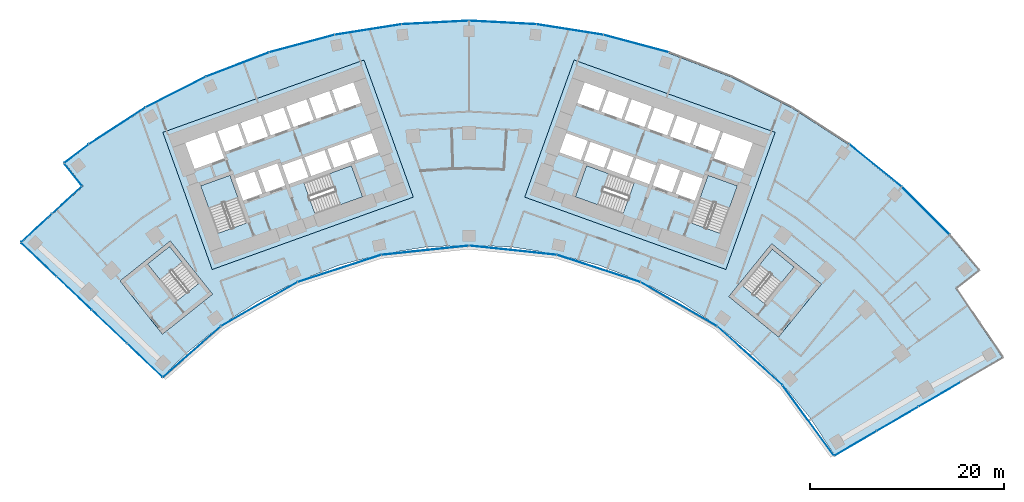
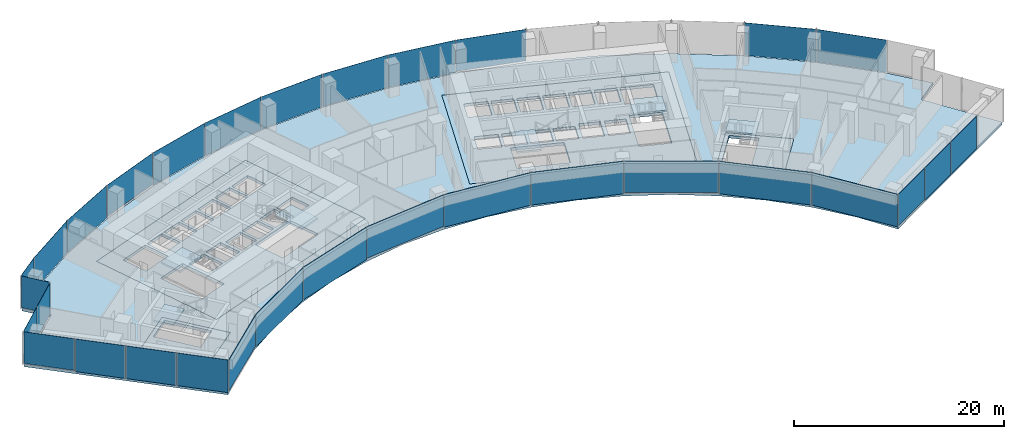
# One storey, part 10 of 19: 31 plates, 11 slabs, 12 elements without a shape of their own.
"""IFC4 building model written with IfcOpenShell, lengths in metres."""

from ifc_helpers import new_model, si_unit, direction, frame, origin, origin_2d, place, context, subcontext, project, spatial, polyline, rectangle, outline, extrude, material, layer, layer_set, type_object, element, aggregate, save


model = new_model("IFC4")

# Units and contexts
model_context = context("Model", 3, precision=1e-05, world=origin(), true_north=direction((0.0, 1.0)))
body_context = subcontext(model_context, "Body", "Model", "MODEL_VIEW")
ifc_project = project(units=[si_unit("LENGTHUNIT", "METRE"), si_unit("AREAUNIT", "SQUARE_METRE"), si_unit("VOLUMEUNIT", "CUBIC_METRE"), si_unit("PLANEANGLEUNIT", "RADIAN"), si_unit("MASSUNIT", "GRAM", prefix="KILO")], contexts=[model_context])

# Site, building, storey
site_placement = place(None, origin())
site = spatial("IfcSite", under=ifc_project, at=site_placement, CompositionType="ELEMENT")
building_placement = place(site_placement, origin())
building = spatial("IfcBuilding", under=site, at=building_placement, Name="Stone Belt Terrace Tower", CompositionType="ELEMENT")
storey_placement = place(building_placement, frame((0.0, 0.0, 128.800048828125)))
storey = spatial("IfcBuildingStorey", under=building, at=storey_placement, Name="L31", CompositionType="ELEMENT", Elevation=128.800048828125)

# Curtain wall, plates
ifc_material_1 = material(Name="Aluminium 6063-T6 anodised frame", Category="aluminium")
ifc_layer_1 = layer(ifc_material_1, 0.14990234375)
ifc_layer_set_1 = layer_set([ifc_layer_1], Name="CW-A unitised convex-face curtain wall")
curtain_wall_type_1 = type_object("IfcCurtainWallType", Name="CW-A unitised convex-face curtain wall", PredefinedType="NOTDEFINED", material=ifc_layer_set_1)
curtain_wall_1_placement = place(storey_placement, origin())
curtain_wall_1 = element("IfcCurtainWall", 1, at=curtain_wall_1_placement, inside=storey, type_object=curtain_wall_type_1, Name="CW-A convex face L31", PredefinedType="NOTDEFINED")
ifc_material_2 = material(Name="Clear double glazed unit")
ifc_layer_2 = layer(ifc_material_2, 0.031982421875)
ifc_layer_set_2 = layer_set([ifc_layer_2], Name="CW-A glass panel 32")
plate_type_1 = type_object("IfcPlateType", Name="CW-A glass panel 32", PredefinedType="CURTAIN_PANEL", material=ifc_layer_set_2)
plate_1_placement = place(storey_placement, frame((47.01123046875, 47.01123046875, 0.0), z_axis=(0.0, 0.0, 1.0), x_axis=(-0.707106781187, 0.707106781187, 0.0)))
plate_1 = element("IfcPlate", 2, at=plate_1_placement, type_object=plate_type_1, Name="CW-A panel 2.1", PredefinedType="CURTAIN_PANEL", context=body_context, shape_type="SweptSolid", body=[
    extrude(rectangle(XDim=6.90087890625, YDim=0.031982421875, at=origin_2d()), origin(), (0.0, 0.0, 1.0), 3.800048828125),
])
plate_2_placement = place(storey_placement, frame((41.839599609375, 51.667724609375, 0.0), z_axis=(0.0, 0.0, 1.0), x_axis=(-0.777145961457, 0.62932039105, 0.0)))
plate_2 = element("IfcPlate", 3, at=plate_2_placement, type_object=plate_type_1, Name="CW-A panel 3.1", PredefinedType="CURTAIN_PANEL", context=body_context, shape_type="SweptSolid", body=[
    extrude(rectangle(XDim=6.90087890625, YDim=0.031982421875, at=origin_2d()), origin(), (0.0, 0.0, 1.0), 3.800048828125),
])
plate_3_placement = place(storey_placement, frame((17.207275390625, 64.218505859375, 0.14013671875), z_axis=(0.0, 0.0, 1.0), x_axis=(-0.965925826289, 0.258819045103, 0.0)))
plate_3 = element("IfcPlate", 4, at=plate_3_placement, type_object=plate_type_1, Name="CW-A panel 7.1", PredefinedType="CURTAIN_PANEL", context=body_context, shape_type="SweptSolid", body=[
    extrude(rectangle(XDim=6.90087890625, YDim=0.031982421875, at=origin_2d()), origin(), (0.0, 0.0, 1.0), 3.659912109375),
])
plate_4_placement = place(storey_placement, frame((10.400390625, 65.665283203125, 0.0), z_axis=(0.0, 0.0, 1.0), x_axis=(-0.987688340595, 0.15643446504, 0.0)))
plate_4 = element("IfcPlate", 5, at=plate_4_placement, type_object=plate_type_1, Name="CW-A panel 8.1", PredefinedType="CURTAIN_PANEL", context=body_context, shape_type="SweptSolid", body=[
    extrude(rectangle(XDim=6.90087890625, YDim=0.031982421875, at=origin_2d()), origin(), (0.0, 0.0, 1.0), 3.800048828125),
])
plate_5_placement = place(storey_placement, frame((3.4794921875, 66.392822265625, 0.0), z_axis=(0.0, 0.0, 1.0), x_axis=(-0.998629534755, 0.052335956243, 0.0)))
plate_5 = element("IfcPlate", 6, at=plate_5_placement, type_object=plate_type_1, Name="CW-A panel 9.1", PredefinedType="CURTAIN_PANEL", context=body_context, shape_type="SweptSolid", body=[
    extrude(rectangle(XDim=6.90087890625, YDim=0.031982421875, at=origin_2d()), origin(), (0.0, 0.0, 1.0), 3.800048828125),
])
plate_6_placement = place(storey_placement, frame((-3.4794921875, 66.392822265625, 0.0), z_axis=(0.0, 0.0, 1.0), x_axis=(-0.998629534755, -0.052335956243, 0.0)))
plate_6 = element("IfcPlate", 7, at=plate_6_placement, type_object=plate_type_1, Name="CW-A panel 10.1", PredefinedType="CURTAIN_PANEL", context=body_context, shape_type="SweptSolid", body=[
    extrude(rectangle(XDim=6.90087890625, YDim=0.031982421875, at=origin_2d()), origin(), (0.0, 0.0, 1.0), 3.800048828125),
])
plate_7_placement = place(storey_placement, frame((-10.400390625, 65.665283203125, 0.0), z_axis=(0.0, 0.0, 1.0), x_axis=(-0.987688340595, -0.15643446504, 0.0)))
plate_7 = element("IfcPlate", 8, at=plate_7_placement, type_object=plate_type_1, Name="CW-A panel 11.1", PredefinedType="CURTAIN_PANEL", context=body_context, shape_type="SweptSolid", body=[
    extrude(rectangle(XDim=6.90087890625, YDim=0.031982421875, at=origin_2d()), origin(), (0.0, 0.0, 1.0), 3.800048828125),
])
plate_8_placement = place(storey_placement, frame((-17.207275390625, 64.218505859375, 0.0), z_axis=(0.0, 0.0, 1.0), x_axis=(-0.965925826289, -0.258819045103, 0.0)))
plate_8 = element("IfcPlate", 9, at=plate_8_placement, type_object=plate_type_1, Name="CW-A panel 12.1", PredefinedType="CURTAIN_PANEL", context=body_context, shape_type="SweptSolid", body=[
    extrude(rectangle(XDim=6.90087890625, YDim=0.031982421875, at=origin_2d()), origin(), (0.0, 0.0, 1.0), 3.800048828125),
])
plate_9_placement = place(storey_placement, frame((-23.82568359375, 62.068115234375, 0.14013671875), z_axis=(0.0, 0.0, 1.0), x_axis=(-0.933580426497, -0.358367949545, 0.0)))
plate_9 = element("IfcPlate", 10, at=plate_9_placement, type_object=plate_type_1, Name="CW-A panel 13.1", PredefinedType="CURTAIN_PANEL", context=body_context, shape_type="SweptSolid", body=[
    extrude(rectangle(XDim=6.90087890625, YDim=0.031982421875, at=origin_2d()), origin(), (0.0, 0.0, 1.0), 3.659912109375),
])
plate_10_placement = place(storey_placement, frame((-30.18310546875, 59.237548828125, 0.0), z_axis=(0.0, 0.0, 1.0), x_axis=(-0.891006524188, -0.45399049974, 0.0)))
plate_10 = element("IfcPlate", 11, at=plate_10_placement, type_object=plate_type_1, Name="CW-A panel 14.1", PredefinedType="CURTAIN_PANEL", context=body_context, shape_type="SweptSolid", body=[
    extrude(rectangle(XDim=6.90087890625, YDim=0.031982421875, at=origin_2d()), origin(), (0.0, 0.0, 1.0), 3.800048828125),
])
plate_11_placement = place(storey_placement, frame((-36.209716796875, 55.758056640625, 0.0), z_axis=(0.0, 0.0, 1.0), x_axis=(-0.838670567945, -0.544639035015, 0.0)))
plate_11 = element("IfcPlate", 12, at=plate_11_placement, type_object=plate_type_1, Name="CW-A panel 15.1", PredefinedType="CURTAIN_PANEL", context=body_context, shape_type="SweptSolid", body=[
    extrude(rectangle(XDim=6.900634765625, YDim=0.031982421875, at=origin_2d()), origin(), (0.0, 0.0, 1.0), 3.800048828125),
])
plate_12_placement = place(storey_placement, frame((-40.394775390625, 52.896240234375, 0.0), z_axis=(0.0, 0.0, 1.0), x_axis=(-0.794905425637, -0.606733355184, 0.0)))
plate_12 = element("IfcPlate", 13, at=plate_12_placement, type_object=plate_type_1, Name="CW-A panel 16.1", PredefinedType="CURTAIN_PANEL", context=body_context, shape_type="SweptSolid", body=[
    extrude(rectangle(XDim=3.1142578125, YDim=0.031982421875, at=origin_2d()), origin(), (0.0, 0.0, 1.0), 3.800048828125),
])
aggregate(curtain_wall_1, [plate_1, plate_2, plate_3, plate_4, plate_5, plate_6, plate_7, plate_8, plate_9, plate_10, plate_11, plate_12])

ifc_layer_3 = layer(ifc_material_1, 0.14990234375)
ifc_layer_set_3 = layer_set([ifc_layer_3], Name="CW-B unitised concave-face curtain wall")
curtain_wall_type_2 = type_object("IfcCurtainWallType", Name="CW-B unitised concave-face curtain wall", PredefinedType="NOTDEFINED", material=ifc_layer_set_3)
curtain_wall_2_placement = place(storey_placement, origin())
curtain_wall_2 = element("IfcCurtainWall", 14, at=curtain_wall_2_placement, inside=storey, type_object=curtain_wall_type_2, Name="CW-B concave face L31", PredefinedType="NOTDEFINED")
ifc_layer_4 = layer(ifc_material_2, 0.030029296875)
ifc_layer_set_4 = layer_set([ifc_layer_4], Name="CW-B glass panel 30")
plate_type_2 = type_object("IfcPlateType", Name="CW-B glass panel 30", PredefinedType="CURTAIN_PANEL", material=ifc_layer_set_4)
plate_13_placement = place(storey_placement, frame((-28.516357421875, 32.509033203125, 0.1201171875), z_axis=(0.0, 0.0, 1.0), x_axis=(0.752060320301, 0.659094283566, 0.0)))
plate_13 = element("IfcPlate", 15, at=plate_13_placement, type_object=plate_type_2, Name="CW-B panel 1.1", PredefinedType="CURTAIN_PANEL", context=body_context, shape_type="SweptSolid", body=[
    extrude(rectangle(XDim=7.8916015625, YDim=0.030029296875, at=origin_2d()), origin(), (0.0, 0.0, 1.0), 3.679931640625),
])
plate_14_placement = place(storey_placement, frame((-21.59375, 37.400634765625, 0.0), z_axis=(0.0, 0.0, 1.0), x_axis=(0.866025403784, 0.5, 0.0)))
plate_14 = element("IfcPlate", 16, at=plate_14_placement, type_object=plate_type_2, Name="CW-B panel 2.1", PredefinedType="CURTAIN_PANEL", context=body_context, shape_type="SweptSolid", body=[
    extrude(rectangle(XDim=9.013916015625, YDim=0.030029296875, at=origin_2d()), origin(), (0.0, 0.0, 1.0), 3.800048828125),
])
plate_15_placement = place(storey_placement, frame((-13.345458984375, 41.072998046875, 0.0), z_axis=(0.0, 0.0, 1.0), x_axis=(0.951056516295, 0.309016994375, 0.0)))
plate_15 = element("IfcPlate", 17, at=plate_15_placement, type_object=plate_type_2, Name="CW-B panel 3.1", PredefinedType="CURTAIN_PANEL", context=body_context, shape_type="SweptSolid", body=[
    extrude(rectangle(XDim=9.0126953125, YDim=0.030029296875, at=origin_2d()), origin(), (0.0, 0.0, 1.0), 3.800048828125),
])
plate_16_placement = place(storey_placement, frame((-4.51416015625, 42.9501953125, 0.1201171875), z_axis=(0.0, 0.0, 1.0), x_axis=(0.994521895368, 0.104528463268, 0.0)))
plate_16 = element("IfcPlate", 18, at=plate_16_placement, type_object=plate_type_2, Name="CW-B panel 4.1", PredefinedType="CURTAIN_PANEL", context=body_context, shape_type="SweptSolid", body=[
    extrude(rectangle(XDim=9.0126953125, YDim=0.030029296875, at=origin_2d()), origin(), (0.0, 0.0, 1.0), 3.679931640625),
])
plate_17_placement = place(storey_placement, frame((4.51416015625, 42.9501953125, 0.0), z_axis=(0.0, 0.0, 1.0), x_axis=(0.994521895368, -0.104528463268, 0.0)))
plate_17 = element("IfcPlate", 19, at=plate_17_placement, type_object=plate_type_2, Name="CW-B panel 5.1", PredefinedType="CURTAIN_PANEL", context=body_context, shape_type="SweptSolid", body=[
    extrude(rectangle(XDim=9.0126953125, YDim=0.030029296875, at=origin_2d()), origin(), (0.0, 0.0, 1.0), 3.800048828125),
])
plate_18_placement = place(storey_placement, frame((13.345458984375, 41.072998046875, 0.0), z_axis=(0.0, 0.0, 1.0), x_axis=(0.951056516295, -0.309016994375, 0.0)))
plate_18 = element("IfcPlate", 20, at=plate_18_placement, type_object=plate_type_2, Name="CW-B panel 6.1", PredefinedType="CURTAIN_PANEL", context=body_context, shape_type="SweptSolid", body=[
    extrude(rectangle(XDim=9.0126953125, YDim=0.030029296875, at=origin_2d()), origin(), (0.0, 0.0, 1.0), 3.800048828125),
])
plate_19_placement = place(storey_placement, frame((21.59326171875, 37.40087890625, 0.1201171875), z_axis=(0.0, 0.0, 1.0), x_axis=(0.866025403784, -0.5, 0.0)))
plate_19 = element("IfcPlate", 21, at=plate_19_placement, type_object=plate_type_2, Name="CW-B panel 7.1", PredefinedType="CURTAIN_PANEL", context=body_context, shape_type="SweptSolid", body=[
    extrude(rectangle(XDim=9.0126953125, YDim=0.030029296875, at=origin_2d()), origin(), (0.0, 0.0, 1.0), 3.679931640625),
])
plate_20_placement = place(storey_placement, frame((28.897705078125, 32.093994140625, 0.0), z_axis=(0.0, 0.0, 1.0), x_axis=(0.743144825477, -0.669130606359, 0.0)))
plate_20 = element("IfcPlate", 22, at=plate_20_placement, type_object=plate_type_2, Name="CW-B panel 8.1", PredefinedType="CURTAIN_PANEL", context=body_context, shape_type="SweptSolid", body=[
    extrude(rectangle(XDim=9.012939453125, YDim=0.030029296875, at=origin_2d()), origin(), (0.0, 0.0, 1.0), 3.800048828125),
])
plate_21_placement = place(storey_placement, frame((34.91162109375, 25.435546875, 0.0), z_axis=(0.0, 0.0, 1.0), x_axis=(0.589224850374, -0.80796910566, 0.0)))
plate_21 = element("IfcPlate", 23, at=plate_21_placement, type_object=plate_type_2, Name="CW-B panel 9.1", PredefinedType="CURTAIN_PANEL", context=body_context, shape_type="SweptSolid", body=[
    extrude(rectangle(XDim=8.898193359375, YDim=0.030029296875, at=origin_2d()), origin(), (0.0, 0.0, 1.0), 3.800048828125),
])
aggregate(curtain_wall_2, [plate_13, plate_14, plate_15, plate_16, plate_17, plate_18, plate_19, plate_20, plate_21])

ifc_layer_5 = layer(ifc_material_1, 0.14990234375)
ifc_layer_set_5 = layer_set([ifc_layer_5], Name="CW-C stick curtain wall, horn ends and notches")
curtain_wall_type_3 = type_object("IfcCurtainWallType", Name="CW-C stick curtain wall, horn ends and notches", PredefinedType="NOTDEFINED", material=ifc_layer_set_5)
curtain_wall_3_placement = place(storey_placement, origin())
curtain_wall_3 = element("IfcCurtainWall", 24, at=curtain_wall_3_placement, inside=storey, type_object=curtain_wall_type_3, Name="CW-C end face L31", PredefinedType="NOTDEFINED")
ifc_layer_6 = layer(ifc_material_2, 0.028076171875)
ifc_layer_set_6 = layer_set([ifc_layer_6], Name="CW-C glass panel 28")
plate_type_3 = type_object("IfcPlateType", Name="CW-C glass panel 28", PredefinedType="CURTAIN_PANEL", material=ifc_layer_set_6)
plate_22_placement = place(storey_placement, frame((39.781982421875, 23.070556640625, 0.1201171875), z_axis=(0.0, 0.0, 1.0), x_axis=(0.864239322284, 0.503080901861, 0.0)))
plate_22 = element("IfcPlate", 25, at=plate_22_placement, type_object=plate_type_3, Name="CW-C panel 1.1", PredefinedType="CURTAIN_PANEL", context=body_context, shape_type="SweptSolid", body=[
    extrude(rectangle(XDim=4.965087890625, YDim=0.028076171875, at=origin_2d()), origin(), (0.0, 0.0, 1.0), 3.679931640625),
])
plate_23_placement = place(storey_placement, frame((44.114013671875, 25.59228515625, 0.0), z_axis=(0.0, 0.0, 1.0), x_axis=(0.864239322284, 0.503080901861, 0.0)))
plate_23 = element("IfcPlate", 26, at=plate_23_placement, type_object=plate_type_3, Name="CW-C panel 2.1", PredefinedType="CURTAIN_PANEL", context=body_context, shape_type="SweptSolid", body=[
    extrude(rectangle(XDim=4.93994140625, YDim=0.028076171875, at=origin_2d()), origin(), (0.0, 0.0, 1.0), 3.800048828125),
])
plate_24_placement = place(storey_placement, frame((48.43505859375, 28.107666015625, 0.0), z_axis=(0.0, 0.0, 1.0), x_axis=(0.864239322284, 0.503080901861, 0.0)))
plate_24 = element("IfcPlate", 27, at=plate_24_placement, type_object=plate_type_3, Name="CW-C panel 3.1", PredefinedType="CURTAIN_PANEL", context=body_context, shape_type="SweptSolid", body=[
    extrude(rectangle(XDim=4.93994140625, YDim=0.028076171875, at=origin_2d()), origin(), (0.0, 0.0, 1.0), 3.800048828125),
])
aggregate(curtain_wall_3, [plate_22, plate_23, plate_24])

# Curtain wall, plate
curtain_wall_4_placement = place(storey_placement, origin())
curtain_wall_4 = element("IfcCurtainWall", 28, at=curtain_wall_4_placement, inside=storey, type_object=curtain_wall_type_3, Name="CW-C notch face L31", PredefinedType="NOTDEFINED")
plate_25_placement = place(storey_placement, frame((-40.751220703125, 50.732666015625, 0.1201171875), z_axis=(0.0, 0.0, 1.0), x_axis=(0.625342799553, -0.780350166943, 0.0)))
plate_25 = element("IfcPlate", 29, at=plate_25_placement, type_object=plate_type_3, Name="CW-C panel 1.1", PredefinedType="CURTAIN_PANEL", context=body_context, shape_type="SweptSolid", body=[
    extrude(rectangle(XDim=2.85888671875, YDim=0.028076171875, at=origin_2d()), origin(), (0.0, 0.0, 1.0), 3.679931640625),
])
aggregate(curtain_wall_4, [plate_25])

# Curtain wall, plates
curtain_wall_5_placement = place(storey_placement, origin())
curtain_wall_5 = element("IfcCurtainWall", 30, at=curtain_wall_5_placement, inside=storey, type_object=curtain_wall_type_3, Name="CW-C notch face L31", PredefinedType="NOTDEFINED")
plate_26_placement = place(storey_placement, frame((-41.38232421875, 48.116455078125, 0.1201171875), z_axis=(0.0, 0.0, 1.0), x_axis=(-0.736280049148, -0.676676945985, 0.0)))
plate_26 = element("IfcPlate", 31, at=plate_26_placement, type_object=plate_type_3, Name="CW-C panel 1.1", PredefinedType="CURTAIN_PANEL", context=body_context, shape_type="SweptSolid", body=[
    extrude(rectangle(XDim=4.12060546875, YDim=0.028076171875, at=origin_2d()), origin(), (0.0, 0.0, 1.0), 3.679931640625),
])
plate_27_placement = place(storey_placement, frame((-44.514892578125, 45.237548828125, 0.0), z_axis=(0.0, 0.0, 1.0), x_axis=(-0.736280049148, -0.676676945985, 0.0)))
plate_27 = element("IfcPlate", 32, at=plate_27_placement, type_object=plate_type_3, Name="CW-C panel 2.1", PredefinedType="CURTAIN_PANEL", context=body_context, shape_type="SweptSolid", body=[
    extrude(rectangle(XDim=4.268798828125, YDim=0.028076171875, at=origin_2d()), origin(), (0.0, 0.0, 1.0), 3.800048828125),
])
aggregate(curtain_wall_5, [plate_26, plate_27])

curtain_wall_6_placement = place(storey_placement, origin())
curtain_wall_6 = element("IfcCurtainWall", 33, at=curtain_wall_6_placement, inside=storey, type_object=curtain_wall_type_3, Name="CW-C end face L31", PredefinedType="NOTDEFINED")
plate_28_placement = place(storey_placement, frame((-44.2841796875, 41.976806640625, 0.1201171875), z_axis=(0.0, 0.0, 1.0), x_axis=(0.72491369175, -0.688839705238, 0.0)))
plate_28 = element("IfcPlate", 34, at=plate_28_placement, type_object=plate_type_3, Name="CW-C panel 1.1", PredefinedType="CURTAIN_PANEL", context=body_context, shape_type="SweptSolid", body=[
    extrude(rectangle(XDim=4.974853515625, YDim=0.028076171875, at=origin_2d()), origin(), (0.0, 0.0, 1.0), 3.679931640625),
])
plate_29_placement = place(storey_placement, frame((-40.646728515625, 38.520751953125, 0.0), z_axis=(0.0, 0.0, 1.0), x_axis=(0.72491369175, -0.688839705238, 0.0)))
plate_29 = element("IfcPlate", 35, at=plate_29_placement, type_object=plate_type_3, Name="CW-C panel 2.1", PredefinedType="CURTAIN_PANEL", context=body_context, shape_type="SweptSolid", body=[
    extrude(rectangle(XDim=4.93994140625, YDim=0.028076171875, at=origin_2d()), origin(), (0.0, 0.0, 1.0), 3.800048828125),
])
plate_30_placement = place(storey_placement, frame((-37.022216796875, 35.076416015625, 0.0), z_axis=(0.0, 0.0, 1.0), x_axis=(0.72491369175, -0.688839705238, 0.0)))
plate_30 = element("IfcPlate", 36, at=plate_30_placement, type_object=plate_type_3, Name="CW-C panel 3.1", PredefinedType="CURTAIN_PANEL", context=body_context, shape_type="SweptSolid", body=[
    extrude(rectangle(XDim=4.93994140625, YDim=0.028076171875, at=origin_2d()), origin(), (0.0, 0.0, 1.0), 3.800048828125),
])
plate_31_placement = place(storey_placement, frame((-33.388427734375, 31.623291015625, 0.0), z_axis=(0.0, 0.0, 1.0), x_axis=(0.72491369175, -0.688839705238, 0.0)))
plate_31 = element("IfcPlate", 37, at=plate_31_placement, type_object=plate_type_3, Name="CW-C panel 4.1", PredefinedType="CURTAIN_PANEL", context=body_context, shape_type="SweptSolid", body=[
    extrude(rectangle(XDim=4.9658203125, YDim=0.028076171875, at=origin_2d()), origin(), (0.0, 0.0, 1.0), 3.800048828125),
])
aggregate(curtain_wall_6, [plate_28, plate_29, plate_30, plate_31])

# Slabs
ifc_material_3 = material(Name="Concrete B40", Category="concrete")
ifc_layer_7 = layer(ifc_material_3, 0.320068359375)
ifc_layer_set_7 = layer_set([ifc_layer_7], Name="Core floor slab 320")
slab_type_1 = type_object("IfcSlabType", Name="Core floor slab 320", PredefinedType="FLOOR", material=ifc_layer_set_7)
slab_1_placement = place(storey_placement, frame((0.0, 0.0, -0.320068359375)))
element("IfcSlab", 38, at=slab_1_placement, inside=storey, type_object=slab_type_1, Name="Core A floor L31", PredefinedType="FLOOR", context=body_context, shape_type="SweptSolid", body=[
    extrude(outline(polyline([(-26.43505859375, 40.968994140625), (-5.735107421875, 48.4189453125), (-10.81396484375, 62.531982421875), (-31.513916015625, 55.0830078125), (-26.43505859375, 40.968994140625)]), holes=[polyline([(-24.60791015625, 50.659912109375), (-22.847900390625, 45.76806640625), (-25.85888671875, 44.68408203125), (-27.618896484375, 49.575927734375), (-24.60791015625, 50.659912109375)]), polyline([(-21.27392578125, 48.778076171875), (-23.25, 48.06689453125), (-24.06298828125, 50.324951171875), (-22.0869140625, 51.035888671875), (-21.27392578125, 48.778076171875)]), polyline([(-18.922119140625, 49.6240234375), (-20.89794921875, 48.9130859375), (-21.7109375, 51.1708984375), (-19.735107421875, 51.883056640625), (-18.922119140625, 49.6240234375)]), polyline([(-19.239990234375, 51.68896484375), (-17.217041015625, 52.4169921875), (-16.52294921875, 50.488037109375), (-18.5458984375, 49.760009765625), (-19.239990234375, 51.68896484375)]), polyline([(-29.2109375, 53.9990234375), (-26.153076171875, 55.09912109375), (-25.18798828125, 52.41796875), (-28.24609375, 51.31689453125), (-29.2109375, 53.9990234375)]), polyline([(-23.801025390625, 55.946044921875), (-23.0390625, 53.8291015625), (-25.10888671875, 53.083984375), (-25.87109375, 55.200927734375), (-23.801025390625, 55.946044921875)]), polyline([(-21.447998046875, 56.7919921875), (-20.68603515625, 54.675048828125), (-22.756103515625, 53.929931640625), (-23.51806640625, 56.047119140625), (-21.447998046875, 56.7919921875)]), polyline([(-19.095947265625, 57.638916015625), (-18.333984375, 55.52197265625), (-20.404052734375, 54.777099609375), (-21.166015625, 56.89404296875), (-19.095947265625, 57.638916015625)]), polyline([(-15.846923828125, 46.69189453125), (-16.998046875, 49.89208984375), (-12.10595703125, 51.652099609375), (-10.955078125, 48.452880859375), (-15.846923828125, 46.69189453125)]), polyline([(-16.239990234375, 50.589111328125), (-16.93408203125, 52.51806640625), (-14.864013671875, 53.262939453125), (-14.169921875, 51.333984375), (-16.239990234375, 50.589111328125)]), polyline([(-11.801025390625, 52.134033203125), (-11.847900390625, 52.116943359375), (-11.864990234375, 52.1640625), (-13.887939453125, 51.43603515625), (-14.58203125, 53.364990234375), (-12.511962890625, 54.110107421875), (-11.801025390625, 52.134033203125)]), polyline([(-9.30810546875, 53.031005859375), (-11.51904296875, 52.235107421875), (-12.22998046875, 54.2109375), (-10.01904296875, 55.007080078125), (-9.30810546875, 53.031005859375)]), polyline([(-16.743896484375, 58.485107421875), (-15.98193359375, 56.367919921875), (-18.052001953125, 55.623046875), (-18.81396484375, 57.739990234375), (-16.743896484375, 58.485107421875)]), polyline([(-14.39111328125, 59.33203125), (-13.6298828125, 57.215087890625), (-15.699951171875, 56.469970703125), (-16.4609375, 58.5869140625), (-14.39111328125, 59.33203125)]), polyline([(-11.89794921875, 60.22900390625), (-11.135986328125, 58.112060546875), (-13.346923828125, 57.31591796875), (-14.10888671875, 59.43408203125), (-11.89794921875, 60.22900390625)])]), origin(), (0.0, 0.0, 1.0), 0.320068359375),
])
slab_2_placement = place(storey_placement, frame((0.0, 0.0, -0.320068359375)))
element("IfcSlab", 39, at=slab_2_placement, inside=storey, type_object=slab_type_1, Name="Core B floor L31", PredefinedType="FLOOR", context=body_context, shape_type="SweptSolid", body=[
    extrude(outline(polyline([(26.43505859375, 40.968994140625), (31.513916015625, 55.0830078125), (10.81396484375, 62.531982421875), (5.735107421875, 48.4189453125), (26.43505859375, 40.968994140625)]), holes=[polyline([(12.10595703125, 51.652099609375), (16.998046875, 49.89208984375), (15.846923828125, 46.69189453125), (10.955078125, 48.452880859375), (12.10595703125, 51.652099609375)]), polyline([(19.239990234375, 51.68896484375), (18.5458984375, 49.760009765625), (16.52294921875, 50.488037109375), (17.217041015625, 52.4169921875), (19.239990234375, 51.68896484375)]), polyline([(16.239990234375, 50.589111328125), (14.169921875, 51.333984375), (14.864013671875, 53.262939453125), (16.93408203125, 52.51806640625), (16.239990234375, 50.589111328125)]), polyline([(14.58203125, 53.364990234375), (13.887939453125, 51.43603515625), (11.864990234375, 52.1640625), (11.847900390625, 52.116943359375), (11.801025390625, 52.134033203125), (12.511962890625, 54.110107421875), (14.58203125, 53.364990234375)]), polyline([(9.30810546875, 53.031005859375), (10.01904296875, 55.007080078125), (12.22998046875, 54.2109375), (11.51904296875, 52.235107421875), (9.30810546875, 53.031005859375)]), polyline([(16.743896484375, 58.485107421875), (18.81396484375, 57.739990234375), (18.052001953125, 55.623046875), (15.98193359375, 56.367919921875), (16.743896484375, 58.485107421875)]), polyline([(14.39111328125, 59.33203125), (16.4609375, 58.5869140625), (15.699951171875, 56.469970703125), (13.6298828125, 57.215087890625), (14.39111328125, 59.33203125)]), polyline([(11.89794921875, 60.22900390625), (14.10888671875, 59.43408203125), (13.346923828125, 57.31591796875), (11.135986328125, 58.112060546875), (11.89794921875, 60.22900390625)]), polyline([(25.85888671875, 44.68408203125), (22.847900390625, 45.76806640625), (24.60791015625, 50.659912109375), (27.618896484375, 49.575927734375), (25.85888671875, 44.68408203125)]), polyline([(21.27392578125, 48.778076171875), (22.0869140625, 51.035888671875), (24.06298828125, 50.324951171875), (23.25, 48.06689453125), (21.27392578125, 48.778076171875)]), polyline([(18.922119140625, 49.6240234375), (19.735107421875, 51.883056640625), (21.7109375, 51.1708984375), (20.89794921875, 48.9130859375), (18.922119140625, 49.6240234375)]), polyline([(29.2109375, 53.9990234375), (28.24609375, 51.31689453125), (25.18798828125, 52.41796875), (26.153076171875, 55.09912109375), (29.2109375, 53.9990234375)]), polyline([(23.801025390625, 55.946044921875), (25.87109375, 55.200927734375), (25.10888671875, 53.083984375), (23.0390625, 53.8291015625), (23.801025390625, 55.946044921875)]), polyline([(21.447998046875, 56.7919921875), (23.51806640625, 56.047119140625), (22.756103515625, 53.929931640625), (20.68603515625, 54.675048828125), (21.447998046875, 56.7919921875)]), polyline([(19.095947265625, 57.638916015625), (21.166015625, 56.89404296875), (20.404052734375, 54.777099609375), (18.333984375, 55.52197265625), (19.095947265625, 57.638916015625)])]), origin(), (0.0, 0.0, 1.0), 0.320068359375),
])
slab_3_placement = place(storey_placement, frame((0.0, 0.0, -0.320068359375)))
element("IfcSlab", 40, at=slab_3_placement, inside=storey, type_object=slab_type_1, Name="Exit stair ST3A floor L31", PredefinedType="FLOOR", context=body_context, shape_type="SweptSolid", body=[
    extrude(outline(polyline([(-26.39404296875, 38.425048828125), (-30.756103515625, 43.89990234375), (-35.91796875, 39.787109375), (-31.555908203125, 34.31298828125), (-26.39404296875, 38.425048828125)]), holes=[polyline([(-27.798095703125, 39.544921875), (-30.06591796875, 37.738037109375), (-33.087890625, 41.531005859375), (-30.820068359375, 43.337890625), (-27.798095703125, 39.544921875)])]), origin(), (0.0, 0.0, 1.0), 0.320068359375),
])
slab_4_placement = place(storey_placement, frame((0.0, 0.0, -0.320068359375)))
element("IfcSlab", 41, at=slab_4_placement, inside=storey, type_object=slab_type_1, Name="Exit stair ST3B floor L31", PredefinedType="FLOOR", context=body_context, shape_type="SweptSolid", body=[
    extrude(outline(polyline([(26.741943359375, 38.18408203125), (31.866943359375, 34.02392578125), (36.278076171875, 39.458984375), (31.154052734375, 43.618896484375), (26.741943359375, 38.18408203125)]), holes=[polyline([(30.407958984375, 37.462890625), (28.156005859375, 39.291015625), (31.2119140625, 43.055908203125), (33.464111328125, 41.22802734375), (30.407958984375, 37.462890625)])]), origin(), (0.0, 0.0, 1.0), 0.320068359375),
])
ifc_layer_8 = layer(ifc_material_3, 0.320068359375)
ifc_layer_set_8 = layer_set([ifc_layer_8], Name="Floor slab 320 B40")
slab_type_2 = type_object("IfcSlabType", Name="Floor slab 320 B40", PredefinedType="FLOOR", material=ifc_layer_set_8)
slab_5_placement = place(storey_placement, frame((0.0, 0.0, -0.320068359375)))
element("IfcSlab", 42, at=slab_5_placement, inside=storey, type_object=slab_type_2, Name="Floor slab L31", PredefinedType="FLOOR", context=body_context, shape_type="SweptSolid", body=[
    extrude(outline(polyline([(-39.087646484375, 53.799560546875), (-33.25, 57.5908203125), (-27.048095703125, 60.750732421875), (-20.549560546875, 63.245361328125), (-13.826171875, 65.046875), (-6.951171875, 66.1357421875), (0.0, 66.5), (6.951171875, 66.1357421875), (13.826171875, 65.046875), (20.549560546875, 63.245361328125), (27.048095703125, 60.750732421875), (33.25, 57.5908203125), (39.087646484375, 53.799560546875), (44.497314453125, 49.419189453125), (49.419189453125, 44.497314453125), (52.4326171875, 40.9033203125), (50.067138671875, 39.05810546875), (54.879150390625, 31.945556640625), (37.594482421875, 21.884033203125), (35.192138671875, 25.568603515625), (32.326904296875, 29.107177734375), (29.107177734375, 32.326904296875), (25.568603515625, 35.192138671875), (21.75, 37.672119140625), (17.693115234375, 39.7392578125), (13.442138671875, 41.37109375), (9.044189453125, 42.54931640625), (4.547119140625, 43.26171875), (0.0, 43.5), (-4.547119140625, 43.26171875), (-9.044189453125, 42.54931640625), (-13.442138671875, 41.37109375), (-17.693115234375, 39.7392578125), (-21.75, 37.672119140625), (-25.568603515625, 35.192138671875), (-29.107177734375, 32.326904296875), (-31.53369140625, 29.964599609375), (-46.031982421875, 43.7412109375), (-39.709228515625, 49.55224609375), (-41.585205078125, 51.893310546875), (-39.087646484375, 53.799560546875)]), holes=[polyline([(-26.434814453125, 40.968994140625), (-5.734619140625, 48.418701171875), (-10.81396484375, 62.532470703125), (-31.51416015625, 55.082763671875), (-26.434814453125, 40.968994140625)]), polyline([(10.81396484375, 62.532470703125), (5.734619140625, 48.418701171875), (26.434814453125, 40.968994140625), (31.51416015625, 55.082763671875), (10.81396484375, 62.532470703125)]), polyline([(-35.91796875, 39.787353515625), (-31.55615234375, 34.3125), (-26.39404296875, 38.425048828125), (-30.756103515625, 43.89990234375), (-35.91796875, 39.787353515625)]), polyline([(36.2783203125, 39.459228515625), (31.15380859375, 43.61865234375), (26.742431640625, 38.18359375), (31.86669921875, 34.024169921875), (36.2783203125, 39.459228515625)])]), origin(), (0.0, 0.0, 1.0), 0.320068359375),
])

# Stair, slab
stair_type = type_object("IfcStairType", Name="Exit stair 1500", PredefinedType="HALF_TURN_STAIR", material=ifc_material_3)
stair_1_placement = place(storey_placement, origin())
stair_1 = element("IfcStair", 43, at=stair_1_placement, inside=storey, type_object=stair_type, Name="L31 Exit stair 1 core A", PredefinedType="HALF_TURN_STAIR")
ifc_layer_9 = layer(ifc_material_3, 0.199951171875)
ifc_layer_set_9 = layer_set([ifc_layer_9], Name="Stair landing 200")
slab_type_3 = type_object("IfcSlabType", Name="Stair landing 200", PredefinedType="LANDING", material=ifc_layer_set_9)
slab_6_placement = place(storey_placement, frame((0.0, 0.0, 1.699951171875)))
slab_6 = element("IfcSlab", 44, at=slab_6_placement, type_object=slab_type_3, Name="ST1A landing 1", PredefinedType="LANDING", context=body_context, shape_type="SweptSolid", body=[
    extrude(outline(polyline([(-23.79541015625, 48.40087890625), (-24.6083984375, 50.659912109375), (-27.619384765625, 49.576171875), (-26.806396484375, 47.3173828125), (-23.79541015625, 48.40087890625)])), origin(), (0.0, 0.0, 1.0), 0.199951171875),
])
aggregate(stair_1, [slab_6])

stair_2_placement = place(storey_placement, origin())
stair_2 = element("IfcStair", 45, at=stair_2_placement, inside=storey, type_object=stair_type, Name="L31 Exit stair 2 core A", PredefinedType="HALF_TURN_STAIR")
slab_7_placement = place(storey_placement, frame((0.0, 0.0, 1.699951171875)))
slab_7 = element("IfcSlab", 46, at=slab_7_placement, type_object=slab_type_3, Name="ST2A landing 1", PredefinedType="LANDING", context=body_context, shape_type="SweptSolid", body=[
    extrude(outline(polyline([(-13.213623046875, 47.64013671875), (-10.95458984375, 48.453125), (-12.10595703125, 51.652099609375), (-14.36474609375, 50.839111328125), (-13.213623046875, 47.64013671875)])), origin(), (0.0, 0.0, 1.0), 0.199951171875),
])
aggregate(stair_2, [slab_7])

stair_3_placement = place(storey_placement, origin())
stair_3 = element("IfcStair", 47, at=stair_3_placement, inside=storey, type_object=stair_type, Name="L31 Exit stair 1 core B", PredefinedType="HALF_TURN_STAIR")
slab_8_placement = place(storey_placement, frame((0.0, 0.0, 1.699951171875)))
slab_8 = element("IfcSlab", 48, at=slab_8_placement, type_object=slab_type_3, Name="ST1B landing 1", PredefinedType="LANDING", context=body_context, shape_type="SweptSolid", body=[
    extrude(outline(polyline([(26.806396484375, 47.3173828125), (27.619384765625, 49.576171875), (24.6083984375, 50.659912109375), (23.79541015625, 48.40087890625), (26.806396484375, 47.3173828125)])), origin(), (0.0, 0.0, 1.0), 0.199951171875),
])
aggregate(stair_3, [slab_8])

stair_4_placement = place(storey_placement, origin())
stair_4 = element("IfcStair", 49, at=stair_4_placement, inside=storey, type_object=stair_type, Name="L31 Exit stair 2 core B", PredefinedType="HALF_TURN_STAIR")
slab_9_placement = place(storey_placement, frame((0.0, 0.0, 1.699951171875)))
slab_9 = element("IfcSlab", 50, at=slab_9_placement, type_object=slab_type_3, Name="ST2B landing 1", PredefinedType="LANDING", context=body_context, shape_type="SweptSolid", body=[
    extrude(outline(polyline([(14.36474609375, 50.839111328125), (12.10595703125, 51.652099609375), (10.95458984375, 48.453125), (13.213623046875, 47.64013671875), (14.36474609375, 50.839111328125)])), origin(), (0.0, 0.0, 1.0), 0.199951171875),
])
aggregate(stair_4, [slab_9])

stair_5_placement = place(storey_placement, origin())
stair_5 = element("IfcStair", 51, at=stair_5_placement, inside=storey, type_object=stair_type, Name="L31 Exit stair 3A", PredefinedType="HALF_TURN_STAIR")
slab_10_placement = place(storey_placement, frame((0.0, 0.0, 1.699951171875)))
slab_10 = element("IfcSlab", 52, at=slab_10_placement, type_object=slab_type_3, Name="ST3A landing 1", PredefinedType="LANDING", context=body_context, shape_type="SweptSolid", body=[
    extrude(outline(polyline([(-29.541748046875, 41.73388671875), (-30.819580078125, 43.337890625), (-33.087646484375, 41.53076171875), (-31.809814453125, 39.9267578125), (-29.541748046875, 41.73388671875)])), origin(), (0.0, 0.0, 1.0), 0.199951171875),
])
aggregate(stair_5, [slab_10])

stair_6_placement = place(storey_placement, origin())
stair_6 = element("IfcStair", 53, at=stair_6_placement, inside=storey, type_object=stair_type, Name="L31 Exit stair 3B", PredefinedType="HALF_TURN_STAIR")
slab_11_placement = place(storey_placement, frame((0.0, 0.0, 1.699951171875)))
slab_11 = element("IfcSlab", 54, at=slab_11_placement, type_object=slab_type_3, Name="ST3B landing 1", PredefinedType="LANDING", context=body_context, shape_type="SweptSolid", body=[
    extrude(outline(polyline([(32.17138671875, 39.635986328125), (33.4638671875, 41.228271484375), (31.21240234375, 43.055908203125), (29.919921875, 41.463623046875), (32.17138671875, 39.635986328125)])), origin(), (0.0, 0.0, 1.0), 0.199951171875),
])
aggregate(stair_6, [slab_11])

save(model, "model.ifc")
